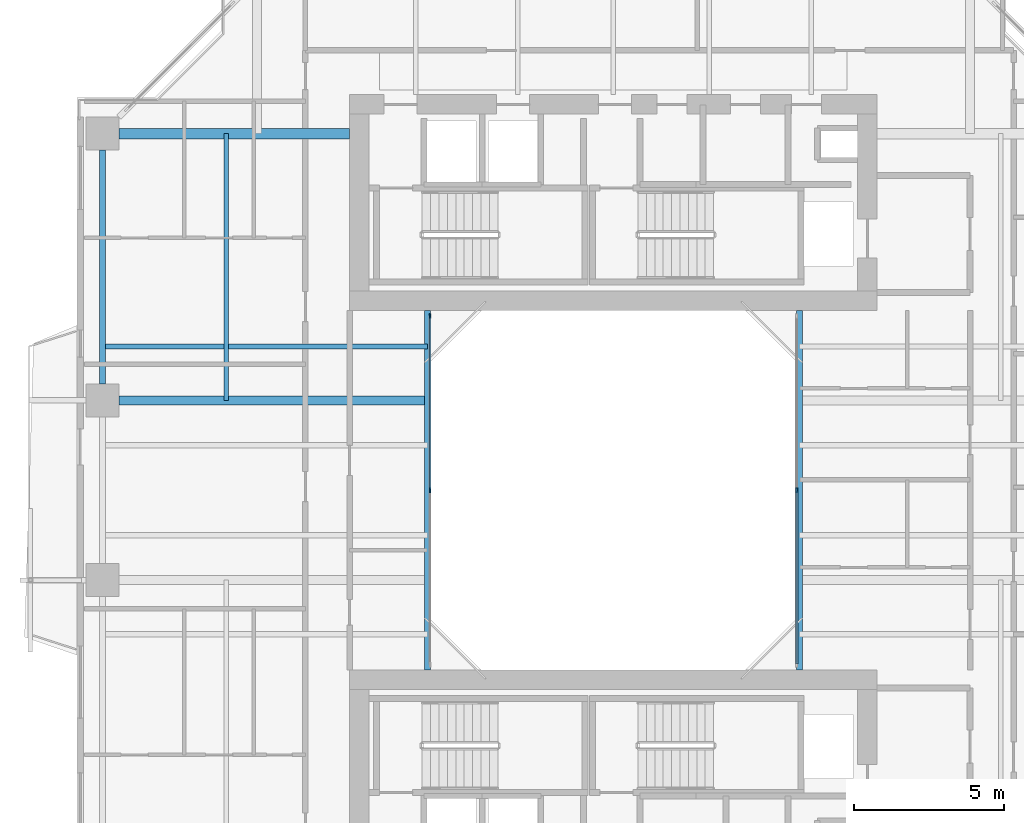
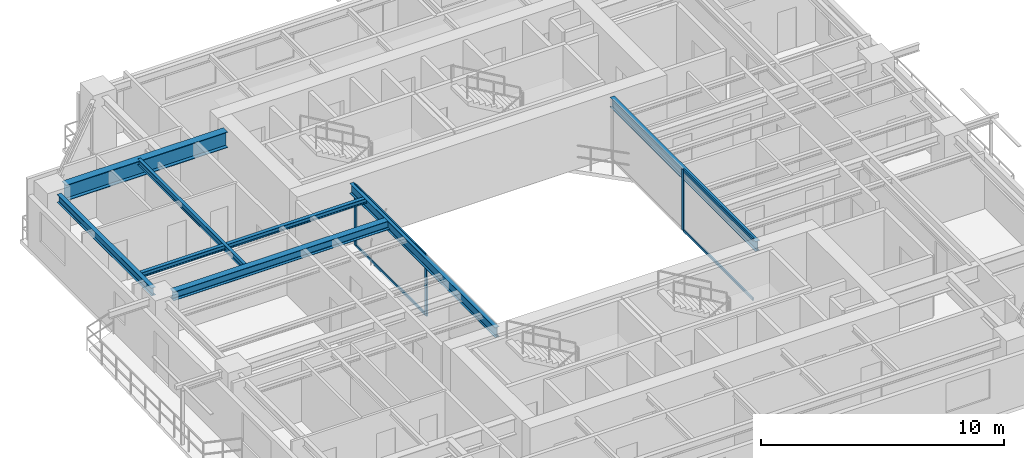
# One storey, part 5 of 17: 7 beams, 7 members, 2 elements without a shape of their own.
"""IFC4 building model written with IfcOpenShell, lengths in metres."""

from ifc_helpers import new_model, si_unit, direction, frame, origin, origin_2d, place, context, subcontext, project, spatial, rectangle, i_section, extrude, source, transform, mapped, material, layer, layer_set, material_profile, profile_set, type_object, element, aggregate, save


model = new_model("IFC4")

# Units and contexts
model_context = context("Model", 3, precision=1e-05, world=origin(), true_north=direction((0.0, 1.0)))
body_context = subcontext(model_context, "Body", "Model", "MODEL_VIEW")
ifc_project = project(units=[si_unit("LENGTHUNIT", "METRE"), si_unit("AREAUNIT", "SQUARE_METRE"), si_unit("VOLUMEUNIT", "CUBIC_METRE"), si_unit("PLANEANGLEUNIT", "RADIAN"), si_unit("MASSUNIT", "GRAM", prefix="KILO"), si_unit("THERMODYNAMICTEMPERATUREUNIT", "KELVIN"), si_unit("POWERUNIT", "WATT")], contexts=[model_context])

# Site, building, storey
site_placement = place(None, origin())
site = spatial("IfcSite", under=ifc_project, at=site_placement, CompositionType="ELEMENT")
building_placement = place(site_placement, origin())
building = spatial("IfcBuilding", under=site, at=building_placement, Name="Qiaomeng Ring Towers", CompositionType="ELEMENT")
storey_placement = place(building_placement, frame((0.0, 0.0, 129.5)))
storey = spatial("IfcBuildingStorey", under=building, at=storey_placement, Name="L37", CompositionType="ELEMENT", Elevation=129.5)

# Beams
ifc_material_1 = material(Name="Steel Q355B", Category="steel")
ifc_material_profile_1 = material_profile(ifc_material_1, i_section(OverallWidth=0.199951171875, OverallDepth=0.5, WebThickness=0.010009765625, FlangeThickness=0.01611328125, FilletRadius=0.02001953125, at=origin_2d()), Name="HN 500x200x10x16")
ifc_profile_set_1 = profile_set([ifc_material_profile_1], Name="Steel Q355B")
beam_type_1 = type_object("IfcBeamType", Name="STR-BM-HN500", PredefinedType="BEAM", material=ifc_profile_set_1)
shared_shape_1 = source(origin(), body_context, "Body", "SweptSolid", [
    extrude(i_section(OverallWidth=0.199951171875, OverallDepth=0.5, WebThickness=0.010009765625, FlangeThickness=0.01611328125, FilletRadius=0.02001953125, at=origin_2d()), origin(), (0.0, 0.0, 1.0), 12.0),
])
for number, where, z_axis, x_axis, name in (
    (1, (12.800048828125, 17.0, 2.820068359375), (0.0, 1.0, 0.0), (-1.0, 0.0, 0.0), "L37 beam STR-BM-L37-WELL-W"),
    (2, (25.199951171875, 17.0, 2.820068359375), (0.0, 1.0, 0.0), (-1.0, 0.0, 0.0), "L37 beam STR-BM-L37-WELL-E"),
):
    element("IfcBeam", number, at=place(storey_placement, frame(where, z_axis=z_axis, x_axis=x_axis)), inside=storey, type_object=beam_type_1, Name=name, PredefinedType="BEAM", context=body_context, shape_type="MappedRepresentation", body=[
        mapped(shared_shape_1, transform((0.0, 0.0, 0.0), x_axis=(1.0, 0.0, 0.0), y_axis=(0.0, 1.0, 0.0), z_axis=(0.0, 0.0, 1.0), scale=1.0)),
    ])
ifc_material_profile_2 = material_profile(ifc_material_1, i_section(OverallWidth=0.199951171875, OverallDepth=0.39990234375, WebThickness=0.008056640625, FlangeThickness=0.012939453125, FilletRadius=0.01611328125, at=origin_2d()), Name="HN 400x200x8x13")
ifc_profile_set_2 = profile_set([ifc_material_profile_2], Name="Steel Q355B")
beam_type_2 = type_object("IfcBeamType", Name="STR-BM-HN400", PredefinedType="SPANDREL", material=ifc_profile_set_2)
shared_shape_2 = source(origin(), body_context, "Body", "SweptSolid", [
    extrude(i_section(OverallWidth=0.199951171875, OverallDepth=0.39990234375, WebThickness=0.008056640625, FlangeThickness=0.012939453125, FilletRadius=0.01611328125, at=origin_2d()), origin(), (0.0, 0.0, 1.0), 7.802001953125),
])
beam_1_placement = place(storey_placement, frame((1.949951171875, 34.35107421875, 2.8701171875), z_axis=(0.0, -1.0, 0.0), x_axis=(1.0, 0.0, 0.0)))
element("IfcBeam", 3, at=beam_1_placement, inside=storey, type_object=beam_type_2, Name="L37 beam STR-SP-L37-T1-W4-W3", PredefinedType="SPANDREL", context=body_context, shape_type="MappedRepresentation", body=[
    mapped(shared_shape_2, transform((0.0, 0.0, 0.0), x_axis=(1.0, 0.0, 0.0), y_axis=(0.0, 1.0, 0.0), z_axis=(0.0, 0.0, 1.0), scale=1.0)),
])
ifc_material_2 = material(Name="Steel Q390GJC", Category="steel")
ifc_material_profile_3 = material_profile(ifc_material_2, i_section(OverallWidth=0.35009765625, OverallDepth=0.800048828125, WebThickness=0.01611328125, FlangeThickness=0.028076171875, at=origin_2d()), Name="WH 800x350x16x28")
ifc_profile_set_3 = profile_set([ifc_material_profile_3], Name="Steel Q390GJC")
beam_type_3 = type_object("IfcBeamType", Name="STR-BM-WH800", PredefinedType="BEAM", material=ifc_profile_set_3)
shared_shape_3 = source(origin(), body_context, "Body", "SweptSolid", [
    extrude(i_section(OverallWidth=0.35009765625, OverallDepth=0.800048828125, WebThickness=0.01611328125, FlangeThickness=0.028076171875, at=origin_2d()), origin(), (0.0, 0.0, 1.0), 7.700927734375),
])
beam_2_placement = place(storey_placement, frame((2.4990234375, 34.89990234375, 2.669921875), z_axis=(1.0, 0.0, 0.0), x_axis=(0.0, 1.0, 0.0)))
element("IfcBeam", 4, at=beam_2_placement, inside=storey, type_object=beam_type_3, Name="L37 beam STR-BM-L37-T1-RAD-W4", PredefinedType="BEAM", context=body_context, shape_type="MappedRepresentation", body=[
    mapped(shared_shape_3, transform((0.0, 0.0, 0.0), x_axis=(1.0, 0.0, 0.0), y_axis=(0.0, 1.0, 0.0), z_axis=(0.0, 0.0, 1.0), scale=1.0)),
])
ifc_material_profile_4 = material_profile(ifc_material_1, i_section(OverallWidth=0.300048828125, OverallDepth=0.43994140625, WebThickness=0.010986328125, FlangeThickness=0.01806640625, FilletRadius=0.02392578125, at=origin_2d()), Name="HM 440x300x11x18")
ifc_profile_set_4 = profile_set([ifc_material_profile_4], Name="Steel Q355B")
beam_type_4 = type_object("IfcBeamType", Name="STR-BM-HM440", PredefinedType="BEAM", material=ifc_profile_set_4)
shared_shape_4 = source(origin(), body_context, "Body", "SweptSolid", [
    extrude(i_section(OverallWidth=0.300048828125, OverallDepth=0.43994140625, WebThickness=0.010986328125, FlangeThickness=0.01806640625, FilletRadius=0.02392578125, at=origin_2d()), origin(), (0.0, 0.0, 1.0), 10.301025390625),
])
beam_3_placement = place(storey_placement, frame((2.4990234375, 26.0, 2.85009765625), z_axis=(1.0, 0.0, 0.0), x_axis=(0.0, 1.0, 0.0)))
element("IfcBeam", 5, at=beam_3_placement, inside=storey, type_object=beam_type_4, Name="L37 beam STR-BM-L37-T1-RAD-W3", PredefinedType="BEAM", context=body_context, shape_type="MappedRepresentation", body=[
    mapped(shared_shape_4, transform((0.0, 0.0, 0.0), x_axis=(1.0, 0.0, 0.0), y_axis=(0.0, 1.0, 0.0), z_axis=(0.0, 0.0, 1.0), scale=1.0)),
])
ifc_material_profile_5 = material_profile(ifc_material_1, i_section(OverallWidth=0.175048828125, OverallDepth=0.243896484375, WebThickness=0.007080078125, FlangeThickness=0.010986328125, FilletRadius=0.01611328125, at=origin_2d()), Name="HM 244x175x7x11")
ifc_profile_set_5 = profile_set([ifc_material_profile_5], Name="Steel Q355B")
beam_type_5 = type_object("IfcBeamType", Name="STR-BM-HM244", PredefinedType="JOIST", material=ifc_profile_set_5)
shared_shape_5 = source(origin(), body_context, "Body", "SweptSolid", [
    extrude(i_section(OverallWidth=0.175048828125, OverallDepth=0.243896484375, WebThickness=0.007080078125, FlangeThickness=0.010986328125, FilletRadius=0.01611328125, at=origin_2d()), origin(), (0.0, 0.0, 1.0), 10.85009765625),
])
beam_4_placement = place(storey_placement, frame((1.949951171875, 27.800048828125, 2.947998046875), z_axis=(1.0, 0.0, 0.0), x_axis=(0.0, 1.0, 0.0)))
element("IfcBeam", 6, at=beam_4_placement, inside=storey, type_object=beam_type_5, Name="L37 beam STR-JST-L37-T1W-4", PredefinedType="JOIST", context=body_context, shape_type="MappedRepresentation", body=[
    mapped(shared_shape_5, transform((0.0, 0.0, 0.0), x_axis=(1.0, 0.0, 0.0), y_axis=(0.0, 1.0, 0.0), z_axis=(0.0, 0.0, 1.0), scale=1.0)),
])
ifc_material_profile_6 = material_profile(ifc_material_1, i_section(OverallWidth=0.14990234375, OverallDepth=0.300048828125, WebThickness=0.006591796875, FlangeThickness=0.009033203125, FilletRadius=0.012939453125, at=origin_2d()), Name="HN 300x150x6.5x9")
ifc_profile_set_6 = profile_set([ifc_material_profile_6], Name="Steel Q355B")
beam_type_6 = type_object("IfcBeamType", Name="STR-BM-HN300", PredefinedType="JOIST", material=ifc_profile_set_6)
shared_shape_6 = source(origin(), body_context, "Body", "SweptSolid", [
    extrude(i_section(OverallWidth=0.14990234375, OverallDepth=0.300048828125, WebThickness=0.006591796875, FlangeThickness=0.009033203125, FilletRadius=0.012939453125, at=origin_2d()), origin(), (0.0, 0.0, 1.0), 8.89990234375),
])
beam_5_placement = place(storey_placement, frame((6.074951171875, 26.0, 2.919921875), z_axis=(0.0, 1.0, 0.0), x_axis=(-1.0, 0.0, 0.0)))
element("IfcBeam", 7, at=beam_5_placement, inside=storey, type_object=beam_type_6, Name="L37 beam STR-JST-L37-T1C-WN", PredefinedType="JOIST", context=body_context, shape_type="MappedRepresentation", body=[
    mapped(shared_shape_6, transform((0.0, 0.0, 0.0), x_axis=(1.0, 0.0, 0.0), y_axis=(0.0, 1.0, 0.0), z_axis=(0.0, 0.0, 1.0), scale=1.0)),
])

# Curtain wall, members
ifc_material_3 = material(Name="Fluorocarbon dark-grey aluminium", Category="aluminium")
ifc_layer = layer(ifc_material_3, 0.139892578125, Name="Fluorocarbon dark-grey aluminium")
ifc_layer_set = layer_set([ifc_layer], Name="Fluorocarbon dark-grey aluminium")
curtain_wall_type = type_object("IfcCurtainWallType", Name="ARC-CW-4", PredefinedType="NOTDEFINED", material=ifc_layer_set)
curtain_wall_1_placement = place(storey_placement, origin())
curtain_wall_1 = element("IfcCurtainWall", 8, at=curtain_wall_1_placement, inside=storey, type_object=curtain_wall_type, Name="L37 Curtain Wall CW4", PredefinedType="NOTDEFINED")
ifc_material_profile_7 = material_profile(ifc_material_3, rectangle(XDim=0.06494140625, YDim=0.159912109375, at=origin_2d()), Name="ALU MULL 65x160")
ifc_profile_set_7 = profile_set([ifc_material_profile_7], Name="Fluorocarbon dark-grey aluminium")
member_type_1 = type_object("IfcMemberType", Name="ARC-CWM-140", PredefinedType="MULLION", material=ifc_profile_set_7)
shared_shape_7 = source(origin(), body_context, "Body", "SweptSolid", [
    extrude(rectangle(XDim=0.06494140625, YDim=0.159912109375, at=origin_2d()), origin(), (0.0, 0.0, 1.0), 3.070068359375),
])
member_1_placement = place(storey_placement, frame((12.8798828125, 23.0, 0.0), z_axis=(0.0, 0.0, 1.0), x_axis=(-1.0, 0.0, 0.0)))
member_1 = element("IfcMember", 9, at=member_1_placement, type_object=member_type_1, Name="CW4 mullion 2", PredefinedType="MULLION", context=body_context, shape_type="MappedRepresentation", body=[
    mapped(shared_shape_7, transform((0.0, 0.0, 0.0), x_axis=(1.0, 0.0, 0.0), y_axis=(0.0, 1.0, 0.0), z_axis=(0.0, 0.0, 1.0), scale=1.0)),
])
member_2_placement = place(storey_placement, frame((12.8798828125, 28.8173828125, 0.0), z_axis=(0.0, 0.0, 1.0), x_axis=(-1.0, 0.0, 0.0)))
member_2 = element("IfcMember", 10, at=member_2_placement, type_object=member_type_1, Name="CW4 mullion 3", PredefinedType="MULLION", context=body_context, shape_type="MappedRepresentation", body=[
    mapped(shared_shape_7, transform((0.0, 0.0, 0.0), x_axis=(1.0, 0.0, 0.0), y_axis=(0.0, 1.0, 0.0), z_axis=(0.0, 0.0, 1.0), scale=1.0)),
])

# Curtain wall, member
curtain_wall_2_placement = place(storey_placement, origin())
curtain_wall_2 = element("IfcCurtainWall", 11, at=curtain_wall_2_placement, inside=storey, type_object=curtain_wall_type, Name="L37 Curtain Wall CW4", PredefinedType="NOTDEFINED")
member_3_placement = place(storey_placement, frame((25.1201171875, 23.0, 0.0), z_axis=(0.0, 0.0, 1.0), x_axis=(-1.0, 0.0, 0.0)))
member_3 = element("IfcMember", 12, at=member_3_placement, type_object=member_type_1, Name="CW4 mullion 2", PredefinedType="MULLION", context=body_context, shape_type="MappedRepresentation", body=[
    mapped(shared_shape_7, transform((0.0, 0.0, 0.0), x_axis=(1.0, 0.0, 0.0), y_axis=(0.0, 1.0, 0.0), z_axis=(0.0, 0.0, 1.0), scale=1.0)),
])

# Member
ifc_material_profile_8 = material_profile(ifc_material_3, rectangle(XDim=0.06494140625, YDim=0.1298828125, at=origin_2d()), Name="ALU TRAN 65x130")
ifc_profile_set_8 = profile_set([ifc_material_profile_8], Name="Fluorocarbon dark-grey aluminium")
member_type_2 = type_object("IfcMemberType", Name="ARC-CWT-120", PredefinedType="USERDEFINED", material=ifc_profile_set_8)
shared_shape_8 = source(origin(), body_context, "Body", "SweptSolid", [
    extrude(rectangle(XDim=0.06494140625, YDim=0.1298828125, at=origin_2d()), origin(), (0.0, 0.0, 1.0), 5.75244140625),
])
member_4_placement = place(storey_placement, frame((12.8798828125, 23.032470703125, 0.032470703125), z_axis=(0.0, 1.0, 0.0), x_axis=(-1.0, 0.0, 0.0)))
member_4 = element("IfcMember", 13, at=member_4_placement, type_object=member_type_2, Name="CW4 transom 2.1", ObjectType="TRANSOM", PredefinedType="USERDEFINED", context=body_context, shape_type="MappedRepresentation", body=[
    mapped(shared_shape_8, transform((0.0, 0.0, 0.0), x_axis=(1.0, 0.0, 0.0), y_axis=(0.0, 1.0, 0.0), z_axis=(0.0, 0.0, 1.0), scale=1.0)),
])

member_5_placement = place(storey_placement, frame((12.8798828125, 23.032470703125, 3.03759765625), z_axis=(0.0, 1.0, 0.0), x_axis=(-1.0, 0.0, 0.0)))
member_5 = element("IfcMember", 14, at=member_5_placement, type_object=member_type_2, Name="CW4 transom 2.2", ObjectType="TRANSOM", PredefinedType="USERDEFINED", context=body_context, shape_type="MappedRepresentation", body=[
    mapped(shared_shape_8, transform((0.0, 0.0, 0.0), x_axis=(1.0, 0.0, 0.0), y_axis=(0.0, 1.0, 0.0), z_axis=(0.0, 0.0, 1.0), scale=1.0)),
])

aggregate(curtain_wall_1, [member_1, member_2, member_4, member_5])

member_6_placement = place(storey_placement, frame((25.1201171875, 17.215087890625, 0.032470703125), z_axis=(0.0, 1.0, 0.0), x_axis=(-1.0, 0.0, 0.0)))
member_6 = element("IfcMember", 15, at=member_6_placement, type_object=member_type_2, Name="CW4 transom 1.1", ObjectType="TRANSOM", PredefinedType="USERDEFINED", context=body_context, shape_type="MappedRepresentation", body=[
    mapped(shared_shape_8, transform((0.0, 0.0, 0.0), x_axis=(1.0, 0.0, 0.0), y_axis=(0.0, 1.0, 0.0), z_axis=(0.0, 0.0, 1.0), scale=1.0)),
])

member_7_placement = place(storey_placement, frame((25.1201171875, 17.215087890625, 3.03759765625), z_axis=(0.0, 1.0, 0.0), x_axis=(-1.0, 0.0, 0.0)))
member_7 = element("IfcMember", 16, at=member_7_placement, type_object=member_type_2, Name="CW4 transom 1.2", ObjectType="TRANSOM", PredefinedType="USERDEFINED", context=body_context, shape_type="MappedRepresentation", body=[
    mapped(shared_shape_8, transform((0.0, 0.0, 0.0), x_axis=(1.0, 0.0, 0.0), y_axis=(0.0, 1.0, 0.0), z_axis=(0.0, 0.0, 1.0), scale=1.0)),
])

aggregate(curtain_wall_2, [member_3, member_6, member_7])

save(model, "model.ifc")
